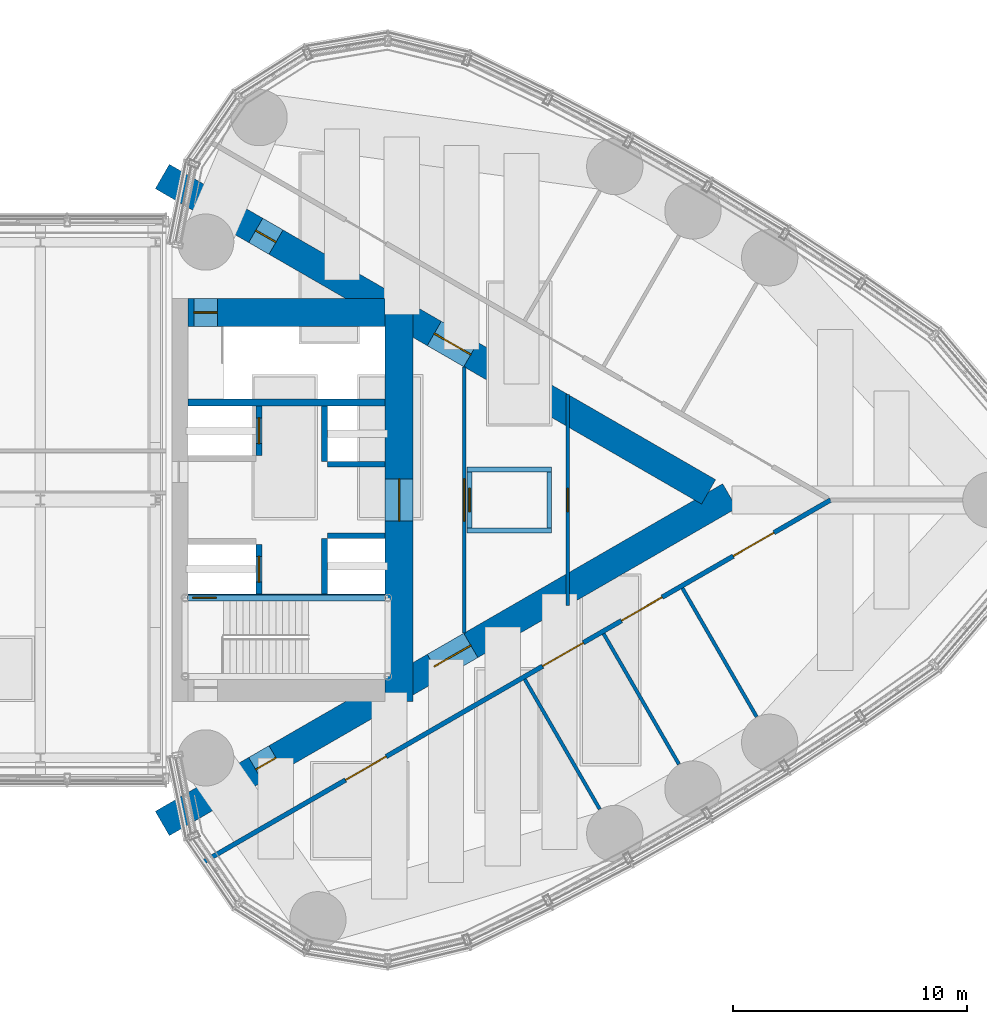
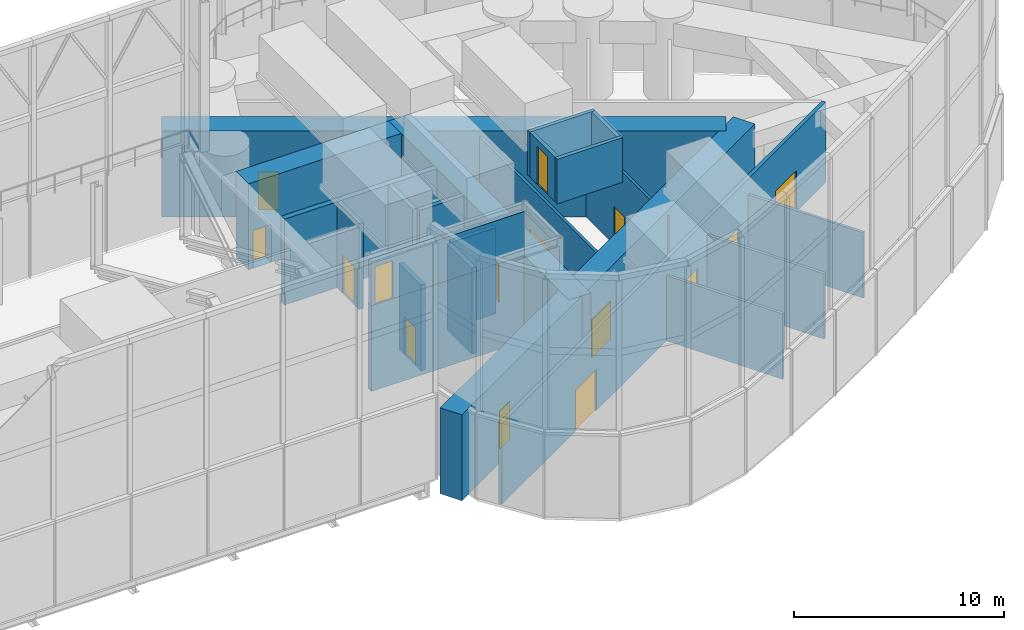
# One storey, part 29 of 33: 23 walls, 16 doors, 16 openings.
"""IFC4 building model written with IfcOpenShell, lengths in metres."""

from ifc_helpers import new_model, si_unit, direction, frame, frame_2d, origin, place, context, subcontext, project, spatial, rectangle, extrude, material, layer, layer_set, type_object, element, fill, save


model = new_model("IFC4")

# Units and contexts
model_context = context("Model", 3, precision=1e-05, world=origin(), true_north=direction((0.0, 1.0)))
body_context = subcontext(model_context, "Body", "Model", "MODEL_VIEW")
ifc_project = project(units=[si_unit("LENGTHUNIT", "METRE"), si_unit("AREAUNIT", "SQUARE_METRE"), si_unit("VOLUMEUNIT", "CUBIC_METRE"), si_unit("PLANEANGLEUNIT", "RADIAN"), si_unit("MASSUNIT", "GRAM", prefix="KILO")], contexts=[model_context])

# Site, building, storey
site_placement = place(None, origin())
site = spatial("IfcSite", under=ifc_project, at=site_placement, CompositionType="ELEMENT")
building_placement = place(site_placement, origin())
building = spatial("IfcBuilding", under=site, at=building_placement, Name="Lancet Gate Hotel", CompositionType="ELEMENT")
storey_placement = place(building_placement, frame((0.0, 0.0, 268.300048828125)))
storey = spatial("IfcBuildingStorey", under=building, at=storey_placement, Name="L70", CompositionType="ELEMENT", Elevation=268.300048828125)

# Wall, openings, doors
ifc_material_1 = material(Name="Concrete C70/85", Category="concrete")
ifc_layer_1 = layer(ifc_material_1, 1.199951171875)
ifc_layer_set_1 = layer_set([ifc_layer_1], Name="Buttress wall 1200")
wall_type_1 = type_object("IfcWallType", Name="Buttress wall 1200", PredefinedType="SHEAR", material=ifc_layer_set_1)
wall_1_placement = place(storey_placement, frame((27.199951171875, -13.800048828125, 0.0), z_axis=(0.0, 0.0, 1.0), x_axis=(0.866027159892, 0.499996958321, 0.0)))
wall_1 = element("IfcWall", 1, at=wall_1_placement, inside=storey, type_object=wall_type_1, Name="T2 buttress wall S L70", PredefinedType="SHEAR", context=body_context, shape_type="SweptSolid", body=[
    extrude(rectangle(XDim=27.946533203125, YDim=1.199951171875, at=frame_2d((13.97314453125, 0.0))), origin(), (0.0, 0.0, 1.0), 5.0),
])
opening_1_placement = place(wall_1_placement, frame((4.60009765625, 0.0, 0.0)))
opening_1 = element("IfcOpeningElement", 2, at=opening_1_placement, cuts=wall_1, Name="Opening T2-L70-LS", PredefinedType="OPENING", context=body_context, shape_type="SweptSolid", body=[
    extrude(rectangle(XDim=1.0, YDim=2.199951171875, at=frame_2d((0.5, 1.10009765625))), frame((0.0, 0.60986328125, 0.0), z_axis=(0.0, -1.0, 0.0), x_axis=(1.0, 0.0, 0.0)), (0.0, 0.0, 1.0), 1.219970703125),
])
opening_2_placement = place(wall_1_placement, frame((13.39453125, 0.0, 0.0)))
opening_2 = element("IfcOpeningElement", 3, at=opening_2_placement, cuts=wall_1, Name="Opening T2-L70-LHS", PredefinedType="OPENING", context=body_context, shape_type="SweptSolid", body=[
    extrude(rectangle(XDim=1.800048828125, YDim=2.199951171875, at=frame_2d((0.89990234375, 1.10009765625))), frame((0.0, 0.60986328125, 0.0), z_axis=(0.0, -1.0, 0.0), x_axis=(1.0, 0.0, 0.0)), (0.0, 0.0, 1.0), 1.219970703125),
])
ifc_material_2 = material(Name="Timber door set", Category="wood")
door_type_1 = type_object("IfcDoorType", Name="Lobby double door 1800", OperationType="DOUBLE_DOOR_SINGLE_SWING", PredefinedType="DOOR", material=ifc_material_2)
door_1_placement = place(opening_2_placement, origin())
door_1 = element("IfcDoor", 4, at=door_1_placement, inside=storey, type_object=door_type_1, Name="T2-L70-LHS", OperationType="DOUBLE_DOOR_SINGLE_SWING", OverallHeight=2.199951171875, OverallWidth=1.800048828125, PredefinedType="DOOR", context=body_context, shape_type="SweptSolid", body=[
    extrude(rectangle(XDim=1.800048828125, YDim=2.199951171875, at=frame_2d((0.89990234375, 1.10009765625))), frame((0.0, 0.02490234375, 0.0), z_axis=(0.0, -1.0, 0.0), x_axis=(1.0, 0.0, 0.0)), (0.0, 0.0, 1.0), 0.050048828125),
])
fill(opening_2, door_1)
ifc_material_3 = material(Name="Timber door set", Category="wood")
door_type_2 = type_object("IfcDoorType", Name="Stair lobby door 1000", OperationType="SINGLE_SWING_LEFT", PredefinedType="DOOR", material=ifc_material_3)
door_2_placement = place(opening_1_placement, origin())
door_2 = element("IfcDoor", 5, at=door_2_placement, inside=storey, type_object=door_type_2, Name="T2-L70-LS", OperationType="SINGLE_SWING_LEFT", OverallHeight=2.199951171875, OverallWidth=1.0, PredefinedType="DOOR", context=body_context, shape_type="SweptSolid", body=[
    extrude(rectangle(XDim=1.0, YDim=2.199951171875, at=frame_2d((0.5, 1.10009765625))), frame((0.0, 0.02490234375, 0.0), z_axis=(0.0, -1.0, 0.0), x_axis=(1.0, 0.0, 0.0)), (0.0, 0.0, 1.0), 0.050048828125),
])
fill(opening_1, door_2)

wall_2_placement = place(storey_placement, frame((27.199951171875, 13.800048828125, 0.0), z_axis=(0.0, 0.0, 1.0), x_axis=(0.866024515034, -0.500001539357, 0.0)))
wall_2 = element("IfcWall", 6, at=wall_2_placement, inside=storey, type_object=wall_type_1, Name="T2 buttress wall N L70", PredefinedType="SHEAR", context=body_context, shape_type="SweptSolid", body=[
    extrude(rectangle(XDim=26.9072265625, YDim=1.199951171875, at=frame_2d((13.45361328125, 0.0))), origin(), (0.0, 0.0, 1.0), 5.0),
])
opening_3_placement = place(wall_2_placement, frame((4.60009765625, 0.0, 0.0)))
opening_3 = element("IfcOpeningElement", 7, at=opening_3_placement, cuts=wall_2, Name="Opening T2-L70-LN", PredefinedType="OPENING", context=body_context, shape_type="SweptSolid", body=[
    extrude(rectangle(XDim=1.0, YDim=2.199951171875, at=frame_2d((0.5, 1.10009765625))), frame((0.0, 0.60986328125, 0.0), z_axis=(0.0, -1.0, 0.0), x_axis=(1.0, 0.0, 0.0)), (0.0, 0.0, 1.0), 1.219970703125),
])
opening_4_placement = place(wall_2_placement, frame((13.39453125, 0.0, 0.0)))
opening_4 = element("IfcOpeningElement", 8, at=opening_4_placement, cuts=wall_2, Name="Opening T2-L70-LHN", PredefinedType="OPENING", context=body_context, shape_type="SweptSolid", body=[
    extrude(rectangle(XDim=1.800048828125, YDim=2.199951171875, at=frame_2d((0.89990234375, 1.10009765625))), frame((0.0, 0.60986328125, 0.0), z_axis=(0.0, -1.0, 0.0), x_axis=(1.0, 0.0, 0.0)), (0.0, 0.0, 1.0), 1.219970703125),
])
door_3_placement = place(opening_4_placement, origin())
door_3 = element("IfcDoor", 9, at=door_3_placement, inside=storey, type_object=door_type_1, Name="T2-L70-LHN", OperationType="DOUBLE_DOOR_SINGLE_SWING", OverallHeight=2.199951171875, OverallWidth=1.800048828125, PredefinedType="DOOR", context=body_context, shape_type="SweptSolid", body=[
    extrude(rectangle(XDim=1.800048828125, YDim=2.199951171875, at=frame_2d((0.89990234375, 1.10009765625))), frame((0.0, 0.02490234375, 0.0), z_axis=(0.0, -1.0, 0.0), x_axis=(1.0, 0.0, 0.0)), (0.0, 0.0, 1.0), 0.050048828125),
])
fill(opening_4, door_3)
door_4_placement = place(opening_3_placement, origin())
door_4 = element("IfcDoor", 10, at=door_4_placement, inside=storey, type_object=door_type_2, Name="T2-L70-LN", OperationType="SINGLE_SWING_LEFT", OverallHeight=2.199951171875, OverallWidth=1.0, PredefinedType="DOOR", context=body_context, shape_type="SweptSolid", body=[
    extrude(rectangle(XDim=1.0, YDim=2.199951171875, at=frame_2d((0.5, 1.10009765625))), frame((0.0, 0.02490234375, 0.0), z_axis=(0.0, -1.0, 0.0), x_axis=(1.0, 0.0, 0.0)), (0.0, 0.0, 1.0), 0.050048828125),
])
fill(opening_3, door_4)

# Wall, opening, door
ifc_material_4 = material(Name="Concrete C70/85", Category="concrete")
ifc_layer_2 = layer(ifc_material_4, 1.199951171875)
ifc_layer_set_2 = layer_set([ifc_layer_2], Name="Core wall 1200")
wall_type_2 = type_object("IfcWallType", Name="Core wall 1200", PredefinedType="SHEAR", material=ifc_layer_set_2)
wall_3_placement = place(storey_placement, frame((37.300048828125, -8.60009765625, 0.0), z_axis=(0.0, 0.0, 1.0), x_axis=(0.0, 1.0, 0.0)))
wall_3 = element("IfcWall", 11, at=wall_3_placement, inside=storey, type_object=wall_type_2, Name="T2 core wall back L70", PredefinedType="SHEAR", context=body_context, shape_type="SweptSolid", body=[
    extrude(rectangle(XDim=17.2001953125, YDim=1.199951171875, at=frame_2d((8.60009765625, 0.0))), origin(), (0.0, 0.0, 1.0), 5.0),
])
opening_5_placement = place(wall_3_placement, frame((7.699951171875, 0.0, 0.0)))
opening_5 = element("IfcOpeningElement", 12, at=opening_5_placement, cuts=wall_3, Name="Opening T2-L70-LL", PredefinedType="OPENING", context=body_context, shape_type="SweptSolid", body=[
    extrude(rectangle(XDim=1.800048828125, YDim=2.199951171875, at=frame_2d((0.89990234375, 1.10009765625))), frame((0.0, 0.60986328125, 0.0), z_axis=(0.0, -1.0, 0.0), x_axis=(1.0, 0.0, 0.0)), (0.0, 0.0, 1.0), 1.219970703125),
])
door_5_placement = place(opening_5_placement, origin())
door_5 = element("IfcDoor", 13, at=door_5_placement, inside=storey, type_object=door_type_1, Name="T2-L70-LL", OperationType="DOUBLE_DOOR_SINGLE_SWING", OverallHeight=2.199951171875, OverallWidth=1.800048828125, PredefinedType="DOOR", context=body_context, shape_type="SweptSolid", body=[
    extrude(rectangle(XDim=1.800048828125, YDim=2.199951171875, at=frame_2d((0.89990234375, 1.10009765625))), frame((0.0, 0.02490234375, 0.0), z_axis=(0.0, -1.0, 0.0), x_axis=(1.0, 0.0, 0.0)), (0.0, 0.0, 1.0), 0.050048828125),
])
fill(opening_5, door_5)

wall_4_placement = place(storey_placement, frame((28.300048828125, 8.0, 0.0), z_axis=(0.0, 0.0, 1.0), x_axis=(1.0, 0.0, 0.0)))
wall_4 = element("IfcWall", 14, at=wall_4_placement, inside=storey, type_object=wall_type_2, Name="T2 core wall side-N L70", PredefinedType="SHEAR", context=body_context, shape_type="SweptSolid", body=[
    extrude(rectangle(XDim=8.39990234375, YDim=1.199951171875, at=frame_2d((4.199951171875, 0.0))), origin(), (0.0, 0.0, 1.0), 5.0),
])
opening_6_placement = place(wall_4_placement, frame((0.25, 0.0, 0.0)))
opening_6 = element("IfcOpeningElement", 15, at=opening_6_placement, cuts=wall_4, Name="Opening T2-L70-ST2", PredefinedType="OPENING", context=body_context, shape_type="SweptSolid", body=[
    extrude(rectangle(XDim=1.0, YDim=2.199951171875, at=frame_2d((0.5, 1.10009765625))), frame((0.0, 0.60986328125, 0.0), z_axis=(0.0, -1.0, 0.0), x_axis=(1.0, 0.0, 0.0)), (0.0, 0.0, 1.0), 1.219970703125),
])
ifc_material_5 = material(Name="Timber door set", Category="wood")
door_type_3 = type_object("IfcDoorType", Name="Stair door 1000", OperationType="SINGLE_SWING_RIGHT", PredefinedType="DOOR", material=ifc_material_5)
door_6_placement = place(opening_6_placement, origin())
door_6 = element("IfcDoor", 16, at=door_6_placement, inside=storey, type_object=door_type_3, Name="T2-L70-ST2", OperationType="SINGLE_SWING_RIGHT", OverallHeight=2.199951171875, OverallWidth=1.0, PredefinedType="DOOR", context=body_context, shape_type="SweptSolid", body=[
    extrude(rectangle(XDim=1.0, YDim=2.199951171875, at=frame_2d((0.5, 1.10009765625))), frame((0.0, 0.02490234375, 0.0), z_axis=(0.0, -1.0, 0.0), x_axis=(1.0, 0.0, 0.0)), (0.0, 0.0, 1.0), 0.050048828125),
])
fill(opening_6, door_6)

# Wall, openings, doors
ifc_material_6 = material(Name="Gypsum board partition")
ifc_layer_3 = layer(ifc_material_6, 0.199951171875)
ifc_layer_set_3 = layer_set([ifc_layer_3], Name="Corridor wall 200")
wall_type_3 = type_object("IfcWallType", Name="Corridor wall 200", PredefinedType="PARTITIONING", material=ifc_layer_set_3)
wall_5_placement = place(storey_placement, frame((28.958984375, -15.440185546875, 0.0), z_axis=(0.0, 0.0, 1.0), x_axis=(0.866025227435, 0.500000305447, 0.0)))
wall_5 = element("IfcWall", 17, at=wall_5_placement, inside=storey, type_object=wall_type_3, Name="T2 corridor wall 200 L70", PredefinedType="PARTITIONING", context=body_context, shape_type="SweptSolid", body=[
    extrude(rectangle(XDim=30.88037109375, YDim=0.199951171875, at=frame_2d((15.440185546875, 0.0))), origin(), (0.0, 0.0, 1.0), 4.699951171875),
])
opening_7_placement = place(wall_5_placement, frame((6.99365234375, 0.0, 0.0)))
opening_7 = element("IfcOpeningElement", 18, at=opening_7_placement, cuts=wall_5, Name="Opening T2-L70-K201", PredefinedType="OPENING", context=body_context, shape_type="SweptSolid", body=[
    extrude(rectangle(XDim=2.0, YDim=2.39990234375, at=frame_2d((1.0, 1.199951171875))), frame((0.0, 0.10986328125, 0.0), z_axis=(0.0, -1.0, 0.0), x_axis=(1.0, 0.0, 0.0)), (0.0, 0.0, 1.0), 0.219970703125),
])
opening_8_placement = place(wall_5_placement, frame((16.7041015625, 0.0, 0.0)))
opening_8 = element("IfcOpeningElement", 19, at=opening_8_placement, cuts=wall_5, Name="Opening T2-L70-K202", PredefinedType="OPENING", context=body_context, shape_type="SweptSolid", body=[
    extrude(rectangle(XDim=2.0, YDim=2.39990234375, at=frame_2d((1.0, 1.199951171875))), frame((0.0, 0.10986328125, 0.0), z_axis=(0.0, -1.0, 0.0), x_axis=(1.0, 0.0, 0.0)), (0.0, 0.0, 1.0), 0.219970703125),
])
opening_9_placement = place(wall_5_placement, frame((20.587158203125, 0.0, 0.0)))
opening_9 = element("IfcOpeningElement", 20, at=opening_9_placement, cuts=wall_5, Name="Opening T2-L70-K203", PredefinedType="OPENING", context=body_context, shape_type="SweptSolid", body=[
    extrude(rectangle(XDim=2.0, YDim=2.39990234375, at=frame_2d((1.0, 1.199951171875))), frame((0.0, 0.10986328125, 0.0), z_axis=(0.0, -1.0, 0.0), x_axis=(1.0, 0.0, 0.0)), (0.0, 0.0, 1.0), 0.219970703125),
])
opening_10_placement = place(wall_5_placement, frame((26.091796875, 0.0, 0.0)))
opening_10 = element("IfcOpeningElement", 21, at=opening_10_placement, cuts=wall_5, Name="Opening T2-L70-K204", PredefinedType="OPENING", context=body_context, shape_type="SweptSolid", body=[
    extrude(rectangle(XDim=2.0, YDim=2.39990234375, at=frame_2d((1.0, 1.199951171875))), frame((0.0, 0.10986328125, 0.0), z_axis=(0.0, -1.0, 0.0), x_axis=(1.0, 0.0, 0.0)), (0.0, 0.0, 1.0), 0.219970703125),
])
ifc_material_7 = material(Name="Timber door set", Category="wood")
door_type_4 = type_object("IfcDoorType", Name="Plant room double door 2000", OperationType="DOUBLE_DOOR_SINGLE_SWING", PredefinedType="DOOR", material=ifc_material_7)
door_7_placement = place(opening_7_placement, origin())
door_7 = element("IfcDoor", 22, at=door_7_placement, inside=storey, type_object=door_type_4, Name="T2-L70-K201", OperationType="DOUBLE_DOOR_SINGLE_SWING", OverallHeight=2.39990234375, OverallWidth=2.0, PredefinedType="DOOR", context=body_context, shape_type="SweptSolid", body=[
    extrude(rectangle(XDim=2.0, YDim=2.39990234375, at=frame_2d((1.0, 1.199951171875))), frame((0.0, 0.02490234375, 0.0), z_axis=(0.0, -1.0, 0.0), x_axis=(1.0, 0.0, 0.0)), (0.0, 0.0, 1.0), 0.050048828125),
])
fill(opening_7, door_7)
door_8_placement = place(opening_8_placement, origin())
door_8 = element("IfcDoor", 23, at=door_8_placement, inside=storey, type_object=door_type_4, Name="T2-L70-K202", OperationType="DOUBLE_DOOR_SINGLE_SWING", OverallHeight=2.39990234375, OverallWidth=2.0, PredefinedType="DOOR", context=body_context, shape_type="SweptSolid", body=[
    extrude(rectangle(XDim=2.0, YDim=2.39990234375, at=frame_2d((1.0, 1.199951171875))), frame((0.0, 0.02490234375, 0.0), z_axis=(0.0, -1.0, 0.0), x_axis=(1.0, 0.0, 0.0)), (0.0, 0.0, 1.0), 0.050048828125),
])
fill(opening_8, door_8)
door_9_placement = place(opening_9_placement, origin())
door_9 = element("IfcDoor", 24, at=door_9_placement, inside=storey, type_object=door_type_4, Name="T2-L70-K203", OperationType="DOUBLE_DOOR_SINGLE_SWING", OverallHeight=2.39990234375, OverallWidth=2.0, PredefinedType="DOOR", context=body_context, shape_type="SweptSolid", body=[
    extrude(rectangle(XDim=2.0, YDim=2.39990234375, at=frame_2d((1.0, 1.199951171875))), frame((0.0, 0.02490234375, 0.0), z_axis=(0.0, -1.0, 0.0), x_axis=(1.0, 0.0, 0.0)), (0.0, 0.0, 1.0), 0.050048828125),
])
fill(opening_9, door_9)
door_10_placement = place(opening_10_placement, origin())
door_10 = element("IfcDoor", 25, at=door_10_placement, inside=storey, type_object=door_type_4, Name="T2-L70-K204", OperationType="DOUBLE_DOOR_SINGLE_SWING", OverallHeight=2.39990234375, OverallWidth=2.0, PredefinedType="DOOR", context=body_context, shape_type="SweptSolid", body=[
    extrude(rectangle(XDim=2.0, YDim=2.39990234375, at=frame_2d((1.0, 1.199951171875))), frame((0.0, 0.02490234375, 0.0), z_axis=(0.0, -1.0, 0.0), x_axis=(1.0, 0.0, 0.0)), (0.0, 0.0, 1.0), 0.050048828125),
])
fill(opening_10, door_10)

# Wall, opening, door
ifc_material_8 = material(Name="Concrete C50/60", Category="concrete")
ifc_layer_4 = layer(ifc_material_8, 0.25)
ifc_layer_set_4 = layer_set([ifc_layer_4], Name="Lift shaft wall 250")
wall_type_4 = type_object("IfcWallType", Name="Lift shaft wall 250", PredefinedType="SHEAR", material=ifc_layer_set_4)
wall_6_placement = place(storey_placement, frame((31.324951171875, -4.0, 0.0), z_axis=(0.0, 0.0, 1.0), x_axis=(0.0, 1.0, 0.0)))
wall_6 = element("IfcWall", 26, at=wall_6_placement, inside=storey, type_object=wall_type_4, Name="T2 core wall row1-S L70", PredefinedType="SHEAR", context=body_context, shape_type="SweptSolid", body=[
    extrude(rectangle(XDim=2.10009765625, YDim=0.25, at=frame_2d((1.050048828125, 0.0))), origin(), (0.0, 0.0, 1.0), 5.0),
])
opening_11_placement = place(wall_6_placement, frame((0.5, 0.0, 0.0)))
opening_11 = element("IfcOpeningElement", 27, at=opening_11_placement, cuts=wall_6, Name="Opening T2-SL1-L70", PredefinedType="OPENING", context=body_context, shape_type="SweptSolid", body=[
    extrude(rectangle(XDim=1.10009765625, YDim=2.199951171875, at=frame_2d((0.550048828125, 1.10009765625))), frame((0.0, 0.135009765625, 0.0), z_axis=(0.0, -1.0, 0.0), x_axis=(1.0, 0.0, 0.0)), (0.0, 0.0, 1.0), 0.27001953125),
])
ifc_material_9 = material(Name="Timber door set", Category="wood")
door_type_5 = type_object("IfcDoorType", Name="Service lift landing door 1100", OperationType="SLIDING_TO_LEFT", PredefinedType="USERDEFINED", material=ifc_material_9)
door_11_placement = place(opening_11_placement, origin())
door_11 = element("IfcDoor", 28, at=door_11_placement, inside=storey, type_object=door_type_5, Name="T2-SL1-L70", ObjectType="LIFT LANDING DOOR", OperationType="SLIDING_TO_LEFT", OverallHeight=2.199951171875, OverallWidth=1.10009765625, PredefinedType="USERDEFINED", context=body_context, shape_type="SweptSolid", body=[
    extrude(rectangle(XDim=1.10009765625, YDim=2.199951171875, at=frame_2d((0.550048828125, 1.10009765625))), frame((0.0, 0.02490234375, 0.0), z_axis=(0.0, -1.0, 0.0), x_axis=(1.0, 0.0, 0.0)), (0.0, 0.0, 1.0), 0.050048828125),
])
fill(opening_11, door_11)

# Walls
wall_7_placement = place(storey_placement, frame((34.125, -4.0, 0.0), z_axis=(0.0, 0.0, 1.0), x_axis=(0.0, 1.0, 0.0)))
element("IfcWall", 29, at=wall_7_placement, inside=storey, type_object=wall_type_4, Name="T2 core wall row2-S L70", PredefinedType="SHEAR", context=body_context, shape_type="SweptSolid", body=[
    extrude(rectangle(XDim=2.35009765625, YDim=0.25, at=frame_2d((1.175048828125, 0.0))), origin(), (0.0, 0.0, 1.0), 5.0),
])
wall_8_placement = place(storey_placement, frame((34.25, -1.52490234375, 0.0), z_axis=(0.0, 0.0, 1.0), x_axis=(1.0, 0.0, 0.0)))
element("IfcWall", 30, at=wall_8_placement, inside=storey, type_object=wall_type_4, Name="T2 core wall pass2-S L70", PredefinedType="SHEAR", context=body_context, shape_type="SweptSolid", body=[
    extrude(rectangle(XDim=2.449951171875, YDim=0.25, at=frame_2d((1.22509765625, 0.0))), origin(), (0.0, 0.0, 1.0), 5.0),
])

# Wall, opening, door
wall_9_placement = place(storey_placement, frame((31.324951171875, 1.89990234375, 0.0), z_axis=(0.0, 0.0, 1.0), x_axis=(0.0, 1.0, 0.0)))
wall_9 = element("IfcWall", 31, at=wall_9_placement, inside=storey, type_object=wall_type_4, Name="T2 core wall row1-N L70", PredefinedType="SHEAR", context=body_context, shape_type="SweptSolid", body=[
    extrude(rectangle(XDim=2.10009765625, YDim=0.25, at=frame_2d((1.050048828125, 0.0))), origin(), (0.0, 0.0, 1.0), 5.0),
])
opening_12_placement = place(wall_9_placement, frame((0.5, 0.0, 0.0)))
opening_12 = element("IfcOpeningElement", 32, at=opening_12_placement, cuts=wall_9, Name="Opening T2-FL2-L70", PredefinedType="OPENING", context=body_context, shape_type="SweptSolid", body=[
    extrude(rectangle(XDim=1.10009765625, YDim=2.199951171875, at=frame_2d((0.550048828125, 1.10009765625))), frame((0.0, 0.135009765625, 0.0), z_axis=(0.0, -1.0, 0.0), x_axis=(1.0, 0.0, 0.0)), (0.0, 0.0, 1.0), 0.27001953125),
])
ifc_material_10 = material(Name="Steel door set", Category="steel")
door_type_6 = type_object("IfcDoorType", Name="Firefighting lift landing door 1100", OperationType="SLIDING_TO_LEFT", PredefinedType="USERDEFINED", material=ifc_material_10)
door_12_placement = place(opening_12_placement, origin())
door_12 = element("IfcDoor", 33, at=door_12_placement, inside=storey, type_object=door_type_6, Name="T2-FL2-L70", ObjectType="LIFT LANDING DOOR", OperationType="SLIDING_TO_LEFT", OverallHeight=2.199951171875, OverallWidth=1.10009765625, PredefinedType="USERDEFINED", context=body_context, shape_type="SweptSolid", body=[
    extrude(rectangle(XDim=1.10009765625, YDim=2.199951171875, at=frame_2d((0.550048828125, 1.10009765625))), frame((0.0, 0.02490234375, 0.0), z_axis=(0.0, -1.0, 0.0), x_axis=(1.0, 0.0, 0.0)), (0.0, 0.0, 1.0), 0.050048828125),
])
fill(opening_12, door_12)

# Walls
wall_10_placement = place(storey_placement, frame((34.125, 1.64990234375, 0.0), z_axis=(0.0, 0.0, 1.0), x_axis=(0.0, 1.0, 0.0)))
element("IfcWall", 34, at=wall_10_placement, inside=storey, type_object=wall_type_4, Name="T2 core wall row2-N L70", PredefinedType="SHEAR", context=body_context, shape_type="SweptSolid", body=[
    extrude(rectangle(XDim=2.35009765625, YDim=0.25, at=frame_2d((1.175048828125, 0.0))), origin(), (0.0, 0.0, 1.0), 5.0),
])
wall_11_placement = place(storey_placement, frame((34.25, 1.52490234375, 0.0), z_axis=(0.0, 0.0, 1.0), x_axis=(1.0, 0.0, 0.0)))
element("IfcWall", 35, at=wall_11_placement, inside=storey, type_object=wall_type_4, Name="T2 core wall pass2-N L70", PredefinedType="SHEAR", context=body_context, shape_type="SweptSolid", body=[
    extrude(rectangle(XDim=2.449951171875, YDim=0.25, at=frame_2d((1.22509765625, 0.0))), origin(), (0.0, 0.0, 1.0), 5.0),
])
ifc_material_11 = material(Name="Gypsum board partition")
ifc_layer_5 = layer(ifc_material_11, 0.14990234375)
ifc_layer_set_5 = layer_set([ifc_layer_5], Name="Party wall 150")
wall_type_5 = type_object("IfcWallType", Name="Party wall 150", PredefinedType="PARTITIONING", material=ifc_layer_set_5)
wall_12_placement = place(storey_placement, frame((42.65966796875, -7.6455078125, 0.0), z_axis=(0.0, 0.0, 1.0), x_axis=(0.499996592859, -0.866027370889, 0.0)))
element("IfcWall", 36, at=wall_12_placement, inside=storey, type_object=wall_type_5, Name="T2 party wall 150 L70", PredefinedType="PARTITIONING", context=body_context, shape_type="SweptSolid", body=[
    extrude(rectangle(XDim=6.3984375, YDim=0.14990234375, at=frame_2d((3.19921875, 0.0))), origin(), (0.0, 0.0, 1.0), 3.800048828125),
])
wall_13_placement = place(storey_placement, frame((46.02294921875, -5.703857421875, 0.0), z_axis=(0.0, 0.0, 1.0), x_axis=(0.499984478165, -0.866034365135, 0.0)))
element("IfcWall", 37, at=wall_13_placement, inside=storey, type_object=wall_type_5, Name="T2 party wall 150 L70", PredefinedType="PARTITIONING", context=body_context, shape_type="SweptSolid", body=[
    extrude(rectangle(XDim=6.425537109375, YDim=0.14990234375, at=frame_2d((3.212890625, 0.0))), origin(), (0.0, 0.0, 1.0), 3.800048828125),
])
wall_14_placement = place(storey_placement, frame((49.38525390625, -3.7626953125, 0.0), z_axis=(0.0, 0.0, 1.0), x_axis=(0.499999447814, -0.866025722589, 0.0)))
element("IfcWall", 38, at=wall_14_placement, inside=storey, type_object=wall_type_5, Name="T2 party wall 150 L70", PredefinedType="PARTITIONING", context=body_context, shape_type="SweptSolid", body=[
    extrude(rectangle(XDim=6.33251953125, YDim=0.14990234375, at=frame_2d((3.166259765625, 0.0))), origin(), (0.0, 0.0, 1.0), 3.800048828125),
])
ifc_material_12 = material(Name="Dense concrete blockwork", Category="masonry")
ifc_layer_6 = layer(ifc_material_12, 0.199951171875)
ifc_layer_set_6 = layer_set([ifc_layer_6], Name="Roof access store wall 200")
wall_type_6 = type_object("IfcWallType", Name="Roof access store wall 200", PredefinedType="SOLIDWALL", material=ifc_layer_set_6)
for number, where, z_axis, x_axis, name in (
    (39, (40.199951171875, -1.300048828125, 5.0), (0.0, 0.0, 1.0), (1.0, 0.0, 0.0), "T2 roof access store wall south"),
    (40, (43.800048828125, 1.300048828125, 5.0), (0.0, 0.0, 1.0), (-1.0, 0.0, 0.0), "T2 roof access store wall north"),
):
    element("IfcWall", number, at=place(storey_placement, frame(where, z_axis=z_axis, x_axis=x_axis)), inside=storey, type_object=wall_type_6, Name=name, PredefinedType="SOLIDWALL", context=body_context, shape_type="SweptSolid", body=[
        extrude(rectangle(XDim=3.60009765625, YDim=0.199951171875, at=frame_2d((1.800048828125, 0.0))), origin(), (0.0, 0.0, 1.0), 2.599853515625),
    ])

# Wall, opening, door
wall_15_placement = place(storey_placement, frame((40.300048828125, 1.199951171875, 5.0), z_axis=(0.0, 0.0, 1.0), x_axis=(0.0, -1.0, 0.0)))
wall_15 = element("IfcWall", 41, at=wall_15_placement, inside=storey, type_object=wall_type_6, Name="T2 roof access store wall west", PredefinedType="SOLIDWALL", context=body_context, shape_type="SweptSolid", body=[
    extrude(rectangle(XDim=2.39990234375, YDim=0.199951171875, at=frame_2d((1.199951171875, 0.0))), origin(), (0.0, 0.0, 1.0), 2.599853515625),
])
opening_13_placement = place(wall_15_placement, frame((0.699951171875, 0.0, 0.0)))
opening_13 = element("IfcOpeningElement", 42, at=opening_13_placement, cuts=wall_15, Name="Opening T2-RS", PredefinedType="OPENING", context=body_context, shape_type="SweptSolid", body=[
    extrude(rectangle(XDim=1.0, YDim=2.199951171875, at=frame_2d((0.5, 1.10009765625))), frame((0.0, 0.10986328125, 0.0), z_axis=(0.0, -1.0, 0.0), x_axis=(1.0, 0.0, 0.0)), (0.0, 0.0, 1.0), 0.219970703125),
])
ifc_material_13 = material(Name="Steel door set", Category="steel")
door_type_7 = type_object("IfcDoorType", Name="Roof access door 1000 external", OperationType="SINGLE_SWING_LEFT", PredefinedType="DOOR", material=ifc_material_13)
door_13_placement = place(opening_13_placement, origin())
door_13 = element("IfcDoor", 43, at=door_13_placement, inside=storey, type_object=door_type_7, Name="T2-RS", OperationType="SINGLE_SWING_LEFT", OverallHeight=2.199951171875, OverallWidth=1.0, PredefinedType="DOOR", context=body_context, shape_type="SweptSolid", body=[
    extrude(rectangle(XDim=1.0, YDim=2.199951171875, at=frame_2d((0.5, 1.10009765625))), frame((0.0, 0.02490234375, 0.0), z_axis=(0.0, -1.0, 0.0), x_axis=(1.0, 0.0, 0.0)), (0.0, 0.0, 1.0), 0.050048828125),
])
fill(opening_13, door_13)

# Wall
wall_16_placement = place(storey_placement, frame((43.699951171875, -1.199951171875, 5.0), z_axis=(0.0, 0.0, 1.0), x_axis=(0.0, 1.0, 0.0)))
element("IfcWall", 44, at=wall_16_placement, inside=storey, type_object=wall_type_6, Name="T2 roof access store wall east", PredefinedType="SOLIDWALL", context=body_context, shape_type="SweptSolid", body=[
    extrude(rectangle(XDim=2.39990234375, YDim=0.199951171875, at=frame_2d((1.199951171875, 0.0))), origin(), (0.0, 0.0, 1.0), 2.599853515625),
])

# Wall, opening, door
ifc_material_14 = material(Name="Gypsum board partition")
ifc_layer_7 = layer(ifc_material_14, 0.14990234375)
ifc_layer_set_7 = layer_set([ifc_layer_7], Name="Service room wall 150")
wall_type_7 = type_object("IfcWallType", Name="Service room wall 150", PredefinedType="PARTITIONING", material=ifc_layer_set_7)
wall_17_placement = place(storey_placement, frame((40.074951171875, -5.673828125, 0.0), z_axis=(0.0, 0.0, 1.0), x_axis=(0.0, 1.0, 0.0)))
wall_17 = element("IfcWall", 45, at=wall_17_placement, inside=storey, type_object=wall_type_7, Name="T2 service room wall 150 L70", PredefinedType="PARTITIONING", context=body_context, shape_type="SweptSolid", body=[
    extrude(rectangle(XDim=11.34765625, YDim=0.14990234375, at=frame_2d((5.673828125, 0.0))), origin(), (0.0, 0.0, 1.0), 4.699951171875),
])
opening_14_placement = place(wall_17_placement, frame((4.773681640625, 0.0, 0.0)))
opening_14 = element("IfcOpeningElement", 46, at=opening_14_placement, cuts=wall_17, Name="Opening T2-L70-LH", PredefinedType="OPENING", context=body_context, shape_type="SweptSolid", body=[
    extrude(rectangle(XDim=1.800048828125, YDim=2.199951171875, at=frame_2d((0.89990234375, 1.10009765625))), frame((0.0, 0.0849609375, 0.0), z_axis=(0.0, -1.0, 0.0), x_axis=(1.0, 0.0, 0.0)), (0.0, 0.0, 1.0), 0.169921875),
])
door_14_placement = place(opening_14_placement, origin())
door_14 = element("IfcDoor", 47, at=door_14_placement, inside=storey, type_object=door_type_1, Name="T2-L70-LH", OperationType="DOUBLE_DOOR_SINGLE_SWING", OverallHeight=2.199951171875, OverallWidth=1.800048828125, PredefinedType="DOOR", context=body_context, shape_type="SweptSolid", body=[
    extrude(rectangle(XDim=1.800048828125, YDim=2.199951171875, at=frame_2d((0.89990234375, 1.10009765625))), frame((0.0, 0.02490234375, 0.0), z_axis=(0.0, -1.0, 0.0), x_axis=(1.0, 0.0, 0.0)), (0.0, 0.0, 1.0), 0.050048828125),
])
fill(opening_14, door_14)

wall_18_placement = place(storey_placement, frame((44.5, -4.504638671875, 0.0), z_axis=(0.0, 0.0, 1.0), x_axis=(0.0, 1.0, 0.0)))
wall_18 = element("IfcWall", 48, at=wall_18_placement, inside=storey, type_object=wall_type_7, Name="T2 service room wall 150 L70", PredefinedType="PARTITIONING", context=body_context, shape_type="SweptSolid", body=[
    extrude(rectangle(XDim=9.00927734375, YDim=0.14990234375, at=frame_2d((4.504638671875, 0.0))), origin(), (0.0, 0.0, 1.0), 4.699951171875),
])
opening_15_placement = place(wall_18_placement, frame((4.004638671875, 0.0, 0.0)))
opening_15 = element("IfcOpeningElement", 49, at=opening_15_placement, cuts=wall_18, Name="Opening T2-L70-SV", PredefinedType="OPENING", context=body_context, shape_type="SweptSolid", body=[
    extrude(rectangle(XDim=1.0, YDim=2.199951171875, at=frame_2d((0.5, 1.10009765625))), frame((0.0, 0.0849609375, 0.0), z_axis=(0.0, -1.0, 0.0), x_axis=(1.0, 0.0, 0.0)), (0.0, 0.0, 1.0), 0.169921875),
])
ifc_material_15 = material(Name="Timber door set", Category="wood")
door_type_8 = type_object("IfcDoorType", Name="Service door 1000", OperationType="SINGLE_SWING_LEFT", PredefinedType="DOOR", material=ifc_material_15)
door_15_placement = place(opening_15_placement, origin())
door_15 = element("IfcDoor", 50, at=door_15_placement, inside=storey, type_object=door_type_8, Name="T2-L70-SV", OperationType="SINGLE_SWING_LEFT", OverallHeight=2.199951171875, OverallWidth=1.0, PredefinedType="DOOR", context=body_context, shape_type="SweptSolid", body=[
    extrude(rectangle(XDim=1.0, YDim=2.199951171875, at=frame_2d((0.5, 1.10009765625))), frame((0.0, 0.02490234375, 0.0), z_axis=(0.0, -1.0, 0.0), x_axis=(1.0, 0.0, 0.0)), (0.0, 0.0, 1.0), 0.050048828125),
])
fill(opening_15, door_15)

# Walls
ifc_material_16 = material(Name="Concrete C50/60", Category="concrete")
ifc_layer_8 = layer(ifc_material_16, 0.300048828125)
ifc_layer_set_8 = layer_set([ifc_layer_8], Name="Stair enclosure wall 300")
wall_type_8 = type_object("IfcWallType", Name="Stair enclosure wall 300", PredefinedType="SHEAR", material=ifc_layer_set_8)
for number, where, z_axis, x_axis, name in (
    (51, (28.300048828125, -4.14990234375, 0.0), (0.0, 0.0, 1.0), (1.0, 0.0, 0.0), "T2 core wall stair-S L70"),
    (52, (28.300048828125, 4.14990234375, 0.0), (0.0, 0.0, 1.0), (1.0, 0.0, 0.0), "T2 core wall stair-N L70"),
):
    element("IfcWall", number, at=place(storey_placement, frame(where, z_axis=z_axis, x_axis=x_axis)), inside=storey, type_object=wall_type_8, Name=name, PredefinedType="SHEAR", context=body_context, shape_type="SweptSolid", body=[
        extrude(rectangle(XDim=8.39990234375, YDim=0.300048828125, at=frame_2d((4.199951171875, 0.0))), origin(), (0.0, 0.0, 1.0), 5.0),
    ])

# Wall, opening, door
ifc_material_17 = material(Name="Dense concrete blockwork", Category="masonry")
ifc_layer_9 = layer(ifc_material_17, 0.25)
ifc_layer_set_9 = layer_set([ifc_layer_9], Name="Stair head-house wall 250")
wall_type_9 = type_object("IfcWallType", Name="Stair head-house wall 250", PredefinedType="SOLIDWALL", material=ifc_layer_set_9)
wall_19_placement = place(storey_placement, frame((28.278076171875, -4.175048828125, 5.0), z_axis=(0.0, 0.0, 1.0), x_axis=(1.0, 0.0, 0.0)))
wall_19 = element("IfcWall", 53, at=wall_19_placement, inside=storey, type_object=wall_type_9, Name="T2 stair head-house wall inner", PredefinedType="SOLIDWALL", context=body_context, shape_type="SweptSolid", body=[
    extrude(rectangle(XDim=8.44384765625, YDim=0.25, at=frame_2d((4.221923828125, 0.0))), origin(), (0.0, 0.0, 1.0), 2.5400390625),
])
opening_16_placement = place(wall_19_placement, frame((0.221923828125, 0.0, 0.0)))
opening_16 = element("IfcOpeningElement", 54, at=opening_16_placement, cuts=wall_19, Name="Opening T2-RD", PredefinedType="OPENING", context=body_context, shape_type="SweptSolid", body=[
    extrude(rectangle(XDim=1.0, YDim=2.199951171875, at=frame_2d((0.5, 1.10009765625))), frame((0.0, 0.135009765625, 0.0), z_axis=(0.0, -1.0, 0.0), x_axis=(1.0, 0.0, 0.0)), (0.0, 0.0, 1.0), 0.27001953125),
])
door_16_placement = place(opening_16_placement, origin())
door_16 = element("IfcDoor", 55, at=door_16_placement, inside=storey, type_object=door_type_7, Name="T2-RD", OperationType="SINGLE_SWING_LEFT", OverallHeight=2.199951171875, OverallWidth=1.0, PredefinedType="DOOR", context=body_context, shape_type="SweptSolid", body=[
    extrude(rectangle(XDim=1.0, YDim=2.199951171875, at=frame_2d((0.5, 1.10009765625))), frame((0.0, 0.02490234375, 0.0), z_axis=(0.0, -1.0, 0.0), x_axis=(1.0, 0.0, 0.0)), (0.0, 0.0, 1.0), 0.050048828125),
])
fill(opening_16, door_16)

save(model, "model.ifc")
